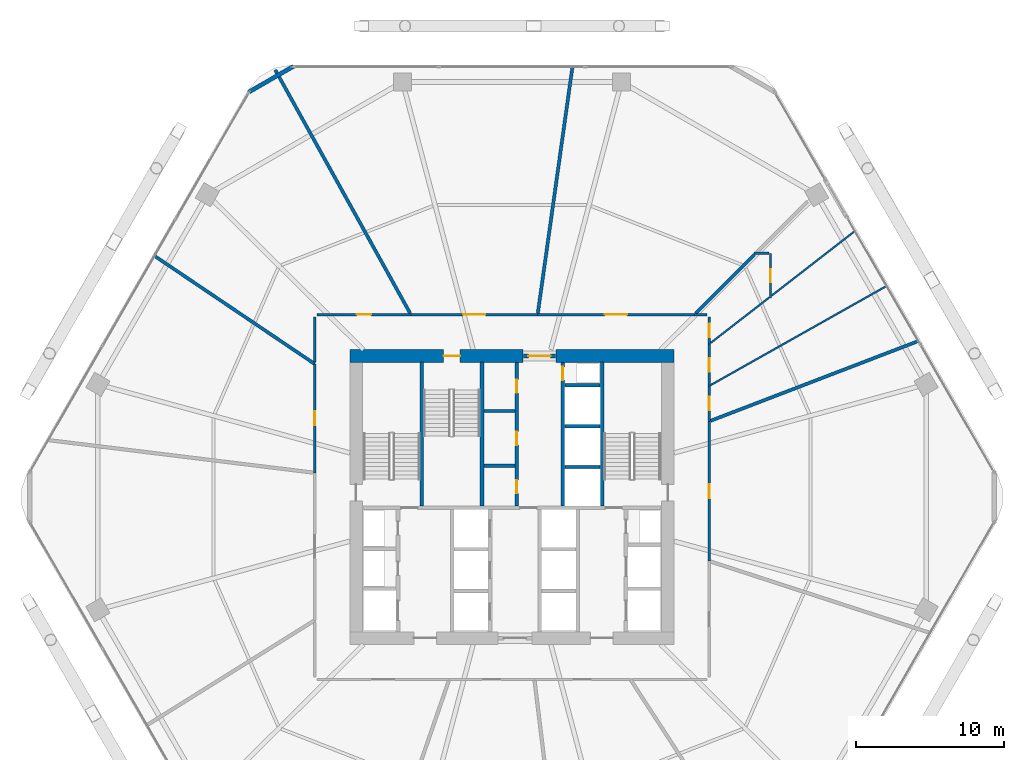
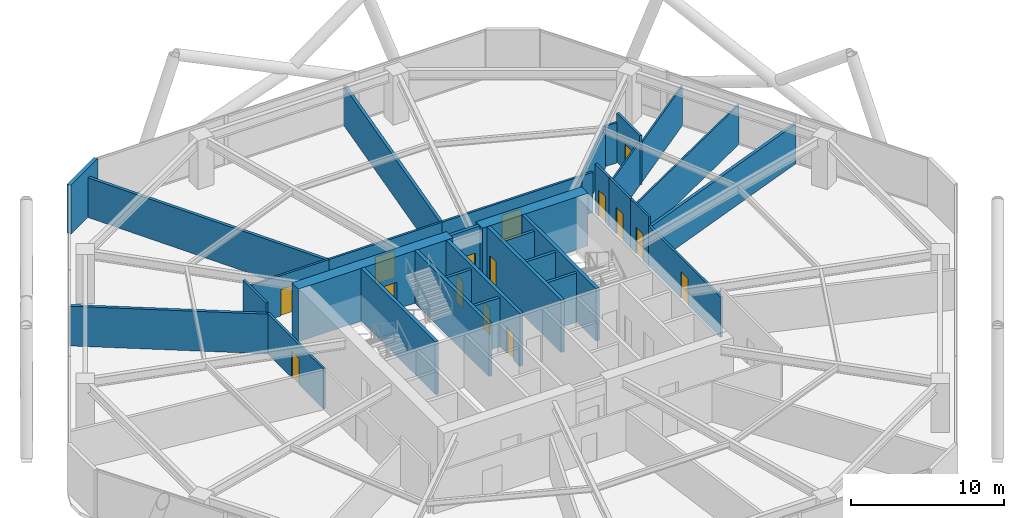
# One storey, part 26 of 28: 34 walls, 15 doors, 15 openings.
"""IFC4 building model written with IfcOpenShell, lengths in metres."""

from ifc_helpers import new_model, si_unit, direction, frame, frame_2d, origin, place, context, subcontext, project, spatial, rectangle, extrude, material, layer, layer_set, type_object, element, fill, save


model = new_model("IFC4")

# Units and contexts
model_context = context("Model", 3, precision=1e-05, world=origin(), true_north=direction((0.0, 1.0)))
body_context = subcontext(model_context, "Body", "Model", "MODEL_VIEW")
ifc_project = project(units=[si_unit("LENGTHUNIT", "METRE"), si_unit("AREAUNIT", "SQUARE_METRE"), si_unit("VOLUMEUNIT", "CUBIC_METRE"), si_unit("PLANEANGLEUNIT", "RADIAN"), si_unit("MASSUNIT", "GRAM", prefix="KILO")], contexts=[model_context])

# Site, building, storey
site_placement = place(None, origin())
site = spatial("IfcSite", under=ifc_project, at=site_placement, CompositionType="ELEMENT")
building_placement = place(site_placement, origin())
building = spatial("IfcBuilding", under=site, at=building_placement, Name="Zuhravey Tower", CompositionType="ELEMENT")
storey_placement = place(building_placement, frame((0.0, 0.0, 24.60009765625)))
storey = spatial("IfcBuildingStorey", under=building, at=storey_placement, Name="L06", CompositionType="ELEMENT", Elevation=24.60009765625)

# Wall
ifc_material_1 = material(Name="Concrete C60/75", Category="concrete")
ifc_layer_1 = layer(ifc_material_1, 0.85009765625)
ifc_layer_set_1 = layer_set([ifc_layer_1], Name="Concrete C60/75")
wall_type_1 = type_object("IfcWallType", Name="Core Shear Wall 850", PredefinedType="SHEAR", material=ifc_layer_set_1)
wall_1_placement = place(storey_placement, frame((46.925048828125, 41.5, 0.0), z_axis=(0.0, 0.0, 1.0), x_axis=(-1.0, 0.0, 0.0)))
element("IfcWall", 1, at=wall_1_placement, inside=storey, type_object=wall_type_1, Name="L06 North-East Core Shear Wall CW85", PredefinedType="SHEAR", context=body_context, shape_type="SweptSolid", body=[
    extrude(rectangle(XDim=7.97509765625, YDim=0.85009765625, at=frame_2d((3.987548828125, 0.0))), origin(), (0.0, 0.0, 1.0), 4.199951171875),
])

# Wall, opening, door
wall_2_placement = place(storey_placement, frame((36.75, 41.5, 0.0), z_axis=(0.0, 0.0, 1.0), x_axis=(-1.0, 0.0, 0.0)))
wall_2 = element("IfcWall", 2, at=wall_2_placement, inside=storey, type_object=wall_type_1, Name="L06 North-West Core Shear Wall CW85", PredefinedType="SHEAR", context=body_context, shape_type="SweptSolid", body=[
    extrude(rectangle(XDim=11.675048828125, YDim=0.85009765625, at=frame_2d((5.83740234375, 0.0))), origin(), (0.0, 0.0, 1.0), 4.199951171875),
])
opening_1_placement = place(wall_2_placement, frame((4.25, 0.0, 0.0)))
opening_1 = element("IfcOpeningElement", 3, at=opening_1_placement, cuts=wall_2, Name="Opening STD1", PredefinedType="OPENING", context=body_context, shape_type="SweptSolid", body=[
    extrude(rectangle(XDim=1.10009765625, YDim=2.14990234375, at=frame_2d((0.550048828125, 1.074951171875))), frame((0.0, 0.43701171875, 0.0), z_axis=(0.0, -1.0, 0.0), x_axis=(1.0, 0.0, 0.0)), (0.0, 0.0, 1.0), 0.8740234375),
])
ifc_material_2 = material(Name="Galvanised fire-rated steel leaf", Category="steel")
door_type_1 = type_object("IfcDoorType", Name="Protected Stair Fire Door 1100x2150", OperationType="NOTDEFINED", PredefinedType="USERDEFINED", material=ifc_material_2)
door_1_placement = place(opening_1_placement, origin())
door_1 = element("IfcDoor", 4, at=door_1_placement, inside=storey, type_object=door_type_1, Name="L06 Stair ST3 Door", ObjectType="EXITDOOR", OperationType="SINGLE_SWING_LEFT", OverallHeight=2.14990234375, OverallWidth=1.10009765625, PredefinedType="USERDEFINED", context=body_context, shape_type="SweptSolid", body=[
    extrude(rectangle(XDim=1.10009765625, YDim=2.14990234375, at=frame_2d((0.550048828125, 1.074951171875))), frame((0.0, 0.02490234375, 0.0), z_axis=(0.0, -1.0, 0.0), x_axis=(1.0, 0.0, 0.0)), (0.0, 0.0, 1.0), 0.050048828125),
])
fill(opening_1, door_1)

ifc_material_3 = material(Name="Gypsum fire-rated stud partition")
ifc_layer_2 = layer(ifc_material_3, 0.159912109375)
ifc_layer_set_2 = layer_set([ifc_layer_2], Name="Gypsum fire-rated stud partition")
wall_type_2 = type_object("IfcWallType", Name="Corridor Fire Partition 160", PredefinedType="PARTITIONING", material=ifc_layer_set_2)
wall_3_placement = place(storey_placement, frame((49.284912109375, 37.099609375, 0.0), z_axis=(0.0, 0.0, 1.0), x_axis=(0.0, 1.0, 0.0)))
wall_3 = element("IfcWall", 5, at=wall_3_placement, inside=storey, type_object=wall_type_2, Name="L06 IW16 Partition 019", PredefinedType="PARTITIONING", context=body_context, shape_type="SweptSolid", body=[
    extrude(rectangle(XDim=2.385986328125, YDim=0.159912109375, at=frame_2d((1.19287109375, 0.0))), origin(), (0.0, 0.0, 1.0), 3.919921875),
])
opening_2_placement = place(wall_3_placement, frame((0.742919921875, 0.0, 0.0)))
opening_2 = element("IfcOpeningElement", 6, at=opening_2_placement, cuts=wall_3, Name="Opening RSD1", PredefinedType="OPENING", context=body_context, shape_type="SweptSolid", body=[
    extrude(rectangle(XDim=0.89990234375, YDim=2.10009765625, at=frame_2d((0.449951171875, 1.050048828125))), frame((0.0, 0.092041015625, 0.0), z_axis=(0.0, -1.0, 0.0), x_axis=(1.0, 0.0, 0.0)), (0.0, 0.0, 1.0), 0.183837890625),
])
ifc_material_4 = material(Name="Galvanised fire-rated steel access leaf", Category="steel")
door_type_2 = type_object("IfcDoorType", Name="Riser & Shaft Access Fire Door 900x2100", OperationType="NOTDEFINED", PredefinedType="DOOR", material=ifc_material_4)
door_2_placement = place(opening_2_placement, frame((0.89990234375, 0.0, 0.0), z_axis=(0.0, 0.0, 1.0), x_axis=(-1.0, 0.0, 0.0)))
door_2 = element("IfcDoor", 7, at=door_2_placement, inside=storey, type_object=door_type_2, Name="L06 Door 019.1", OperationType="SINGLE_SWING_RIGHT", OverallHeight=2.10009765625, OverallWidth=0.89990234375, PredefinedType="DOOR", context=body_context, shape_type="SweptSolid", body=[
    extrude(rectangle(XDim=0.89990234375, YDim=2.10009765625, at=frame_2d((0.449951171875, 1.050048828125))), frame((0.0, 0.02490234375, 0.0), z_axis=(0.0, -1.0, 0.0), x_axis=(1.0, 0.0, 0.0)), (0.0, 0.0, 1.0), 0.050048828125),
])
fill(opening_2, door_2)

wall_4_placement = place(storey_placement, frame((49.284912109375, 39.485595703125, 0.0), z_axis=(0.0, 0.0, 1.0), x_axis=(0.0, 1.0, 0.0)))
wall_4 = element("IfcWall", 8, at=wall_4_placement, inside=storey, type_object=wall_type_2, Name="L06 IW16 Partition 020", PredefinedType="PARTITIONING", context=body_context, shape_type="SweptSolid", body=[
    extrude(rectangle(XDim=2.8193359375, YDim=0.159912109375, at=frame_2d((1.40966796875, 0.0))), origin(), (0.0, 0.0, 1.0), 3.919921875),
])
opening_3_placement = place(wall_4_placement, frame((0.959716796875, 0.0, 0.0)))
opening_3 = element("IfcOpeningElement", 9, at=opening_3_placement, cuts=wall_4, Name="Opening RSD1", PredefinedType="OPENING", context=body_context, shape_type="SweptSolid", body=[
    extrude(rectangle(XDim=0.89990234375, YDim=2.10009765625, at=frame_2d((0.449951171875, 1.050048828125))), frame((0.0, 0.092041015625, 0.0), z_axis=(0.0, -1.0, 0.0), x_axis=(1.0, 0.0, 0.0)), (0.0, 0.0, 1.0), 0.183837890625),
])
door_3_placement = place(opening_3_placement, frame((0.89990234375, 0.0, 0.0), z_axis=(0.0, 0.0, 1.0), x_axis=(-1.0, 0.0, 0.0)))
door_3 = element("IfcDoor", 10, at=door_3_placement, inside=storey, type_object=door_type_2, Name="L06 Door 020.1", OperationType="SINGLE_SWING_LEFT", OverallHeight=2.10009765625, OverallWidth=0.89990234375, PredefinedType="DOOR", context=body_context, shape_type="SweptSolid", body=[
    extrude(rectangle(XDim=0.89990234375, YDim=2.10009765625, at=frame_2d((0.449951171875, 1.050048828125))), frame((0.0, 0.02490234375, 0.0), z_axis=(0.0, -1.0, 0.0), x_axis=(1.0, 0.0, 0.0)), (0.0, 0.0, 1.0), 0.050048828125),
])
fill(opening_3, door_3)

wall_5_placement = place(storey_placement, frame((53.405029296875, 48.405029296875, 0.0), z_axis=(0.0, 0.0, 1.0), x_axis=(0.0, -1.0, 0.0)))
wall_5 = element("IfcWall", 11, at=wall_5_placement, inside=storey, type_object=wall_type_2, Name="L06 IW16 Partition 021", PredefinedType="PARTITIONING", context=body_context, shape_type="SweptSolid", body=[
    extrude(rectangle(XDim=3.005615234375, YDim=0.159912109375, at=frame_2d((1.5029296875, 0.0))), origin(), (0.0, 0.0, 1.0), 3.919921875),
])
opening_4_placement = place(wall_5_placement, frame((1.052734375, 0.0, 0.0)))
opening_4 = element("IfcOpeningElement", 12, at=opening_4_placement, cuts=wall_5, Name="Opening RSD1", PredefinedType="OPENING", context=body_context, shape_type="SweptSolid", body=[
    extrude(rectangle(XDim=0.89990234375, YDim=2.10009765625, at=frame_2d((0.449951171875, 1.050048828125))), frame((0.0, 0.092041015625, 0.0), z_axis=(0.0, -1.0, 0.0), x_axis=(1.0, 0.0, 0.0)), (0.0, 0.0, 1.0), 0.183837890625),
])
door_4_placement = place(opening_4_placement, origin())
door_4 = element("IfcDoor", 13, at=door_4_placement, inside=storey, type_object=door_type_2, Name="L06 Door 021.1", OperationType="SINGLE_SWING_RIGHT", OverallHeight=2.10009765625, OverallWidth=0.89990234375, PredefinedType="DOOR", context=body_context, shape_type="SweptSolid", body=[
    extrude(rectangle(XDim=0.89990234375, YDim=2.10009765625, at=frame_2d((0.449951171875, 1.050048828125))), frame((0.0, 0.02490234375, 0.0), z_axis=(0.0, -1.0, 0.0), x_axis=(1.0, 0.0, 0.0)), (0.0, 0.0, 1.0), 0.050048828125),
])
fill(opening_4, door_4)

wall_6_placement = place(storey_placement, frame((49.284912109375, 42.304931640625, 0.0), z_axis=(0.0, 0.0, 1.0), x_axis=(0.0, 1.0, 0.0)))
wall_6 = element("IfcWall", 14, at=wall_6_placement, inside=storey, type_object=wall_type_2, Name="L06 IW16 Partition 022", PredefinedType="PARTITIONING", context=body_context, shape_type="SweptSolid", body=[
    extrude(rectangle(XDim=1.820068359375, YDim=0.159912109375, at=frame_2d((0.91015625, 0.0))), origin(), (0.0, 0.0, 1.0), 3.919921875),
])
opening_5_placement = place(wall_6_placement, frame((0.4599609375, 0.0, 0.0)))
opening_5 = element("IfcOpeningElement", 15, at=opening_5_placement, cuts=wall_6, Name="Opening RSD1", PredefinedType="OPENING", context=body_context, shape_type="SweptSolid", body=[
    extrude(rectangle(XDim=0.89990234375, YDim=2.10009765625, at=frame_2d((0.449951171875, 1.050048828125))), frame((0.0, 0.092041015625, 0.0), z_axis=(0.0, -1.0, 0.0), x_axis=(1.0, 0.0, 0.0)), (0.0, 0.0, 1.0), 0.183837890625),
])
door_5_placement = place(opening_5_placement, frame((0.89990234375, 0.0, 0.0), z_axis=(0.0, 0.0, 1.0), x_axis=(-1.0, 0.0, 0.0)))
door_5 = element("IfcDoor", 16, at=door_5_placement, inside=storey, type_object=door_type_2, Name="L06 Door 022.1", OperationType="SINGLE_SWING_LEFT", OverallHeight=2.10009765625, OverallWidth=0.89990234375, PredefinedType="DOOR", context=body_context, shape_type="SweptSolid", body=[
    extrude(rectangle(XDim=0.89990234375, YDim=2.10009765625, at=frame_2d((0.449951171875, 1.050048828125))), frame((0.0, 0.02490234375, 0.0), z_axis=(0.0, -1.0, 0.0), x_axis=(1.0, 0.0, 0.0)), (0.0, 0.0, 1.0), 0.050048828125),
])
fill(opening_5, door_5)

wall_7_placement = place(storey_placement, frame((48.284912109375, 44.284912109375, 0.0), z_axis=(0.0, 0.0, 1.0), x_axis=(-1.0, 0.0, 0.0)))
wall_7 = element("IfcWall", 17, at=wall_7_placement, inside=storey, type_object=wall_type_2, Name="L06 IW16 Partition 023", PredefinedType="PARTITIONING", context=body_context, shape_type="SweptSolid", body=[
    extrude(rectangle(XDim=10.558349609375, YDim=0.159912109375, at=frame_2d((5.279296875, 0.0))), origin(), (0.0, 0.0, 1.0), 3.219970703125),
])
opening_6_placement = place(wall_7_placement, frame((4.529296875, 0.0, 0.0)))
opening_6 = element("IfcOpeningElement", 18, at=opening_6_placement, cuts=wall_7, Name="Opening FFD1", PredefinedType="OPENING", context=body_context, shape_type="SweptSolid", body=[
    extrude(rectangle(XDim=1.5, YDim=2.14990234375, at=frame_2d((0.75, 1.074951171875))), frame((0.0, 0.092041015625, 0.0), z_axis=(0.0, -1.0, 0.0), x_axis=(1.0, 0.0, 0.0)), (0.0, 0.0, 1.0), 0.183837890625),
])
door_type_3 = type_object("IfcDoorType", Name="Firefighting Lobby Double Door 1500x2150", OperationType="DOUBLE_DOOR_SINGLE_SWING", PredefinedType="DOOR", material=ifc_material_2)
door_6_placement = place(opening_6_placement, frame((1.5, 0.0, 0.0), z_axis=(0.0, 0.0, 1.0), x_axis=(-1.0, 0.0, 0.0)))
door_6 = element("IfcDoor", 19, at=door_6_placement, inside=storey, type_object=door_type_3, Name="L06 Door 023.1", OperationType="DOUBLE_DOOR_SINGLE_SWING", OverallHeight=2.14990234375, OverallWidth=1.5, PredefinedType="DOOR", context=body_context, shape_type="SweptSolid", body=[
    extrude(rectangle(XDim=1.5, YDim=2.14990234375, at=frame_2d((0.75, 1.074951171875))), frame((0.0, 0.02490234375, 0.0), z_axis=(0.0, -1.0, 0.0), x_axis=(1.0, 0.0, 0.0)), (0.0, 0.0, 1.0), 0.050048828125),
])
fill(opening_6, door_6)

wall_8_placement = place(storey_placement, frame((37.7265625, 44.284912109375, 0.0), z_axis=(0.0, 0.0, 1.0), x_axis=(-1.0, 0.0, 0.0)))
wall_8 = element("IfcWall", 20, at=wall_8_placement, inside=storey, type_object=wall_type_2, Name="L06 IW16 Partition 024", PredefinedType="PARTITIONING", context=body_context, shape_type="SweptSolid", body=[
    extrude(rectangle(XDim=8.536376953125, YDim=0.159912109375, at=frame_2d((4.26806640625, 0.0))), origin(), (0.0, 0.0, 1.0), 3.219970703125),
])
opening_7_placement = place(wall_8_placement, frame((3.51806640625, 0.0, 0.0)))
opening_7 = element("IfcOpeningElement", 21, at=opening_7_placement, cuts=wall_8, Name="Opening FFD1", PredefinedType="OPENING", context=body_context, shape_type="SweptSolid", body=[
    extrude(rectangle(XDim=1.5, YDim=2.14990234375, at=frame_2d((0.75, 1.074951171875))), frame((0.0, 0.092041015625, 0.0), z_axis=(0.0, -1.0, 0.0), x_axis=(1.0, 0.0, 0.0)), (0.0, 0.0, 1.0), 0.183837890625),
])
door_7_placement = place(opening_7_placement, frame((1.5, 0.0, 0.0), z_axis=(0.0, 0.0, 1.0), x_axis=(-1.0, 0.0, 0.0)))
door_7 = element("IfcDoor", 22, at=door_7_placement, inside=storey, type_object=door_type_3, Name="L06 Door 024.1", OperationType="DOUBLE_DOOR_SINGLE_SWING", OverallHeight=2.14990234375, OverallWidth=1.5, PredefinedType="DOOR", context=body_context, shape_type="SweptSolid", body=[
    extrude(rectangle(XDim=1.5, YDim=2.14990234375, at=frame_2d((0.75, 1.074951171875))), frame((0.0, 0.02490234375, 0.0), z_axis=(0.0, -1.0, 0.0), x_axis=(1.0, 0.0, 0.0)), (0.0, 0.0, 1.0), 0.050048828125),
])
fill(opening_7, door_7)

wall_9_placement = place(storey_placement, frame((29.190185546875, 44.284912109375, 0.0), z_axis=(0.0, 0.0, 1.0), x_axis=(-1.0, 0.0, 0.0)))
wall_9 = element("IfcWall", 23, at=wall_9_placement, inside=storey, type_object=wall_type_2, Name="L06 IW16 Partition 025", PredefinedType="PARTITIONING", context=body_context, shape_type="SweptSolid", body=[
    extrude(rectangle(XDim=6.315185546875, YDim=0.159912109375, at=frame_2d((3.15771484375, 0.0))), origin(), (0.0, 0.0, 1.0), 3.219970703125),
])
opening_8_placement = place(wall_9_placement, frame((2.6826171875, 0.0, 0.0)))
opening_8 = element("IfcOpeningElement", 24, at=opening_8_placement, cuts=wall_9, Name="Opening IND1", PredefinedType="OPENING", context=body_context, shape_type="SweptSolid", body=[
    extrude(rectangle(XDim=0.949951171875, YDim=2.10009765625, at=frame_2d((0.47509765625, 1.050048828125))), frame((0.0, 0.092041015625, 0.0), z_axis=(0.0, -1.0, 0.0), x_axis=(1.0, 0.0, 0.0)), (0.0, 0.0, 1.0), 0.183837890625),
])
ifc_material_5 = material(Name="Painted engineered timber leaf", Category="wood")
door_type_4 = type_object("IfcDoorType", Name="Internal Room & Bedroom Door 950x2100", OperationType="NOTDEFINED", PredefinedType="DOOR", material=ifc_material_5)
door_8_placement = place(opening_8_placement, frame((0.949951171875, 0.0, 0.0), z_axis=(0.0, 0.0, 1.0), x_axis=(-1.0, 0.0, 0.0)))
door_8 = element("IfcDoor", 25, at=door_8_placement, inside=storey, type_object=door_type_4, Name="L06 Door 025.1", OperationType="SINGLE_SWING_RIGHT", OverallHeight=2.10009765625, OverallWidth=0.949951171875, PredefinedType="DOOR", context=body_context, shape_type="SweptSolid", body=[
    extrude(rectangle(XDim=0.949951171875, YDim=2.10009765625, at=frame_2d((0.47509765625, 1.050048828125))), frame((0.0, 0.02490234375, 0.0), z_axis=(0.0, -1.0, 0.0), x_axis=(1.0, 0.0, 0.0)), (0.0, 0.0, 1.0), 0.050048828125),
])
fill(opening_8, door_8)

wall_10_placement = place(storey_placement, frame((22.715087890625, 40.960693359375, 0.0), z_axis=(0.0, 0.0, 1.0), x_axis=(0.0, -1.0, 0.0)))
wall_10 = element("IfcWall", 26, at=wall_10_placement, inside=storey, type_object=wall_type_2, Name="L06 IW16 Partition 026", PredefinedType="PARTITIONING", context=body_context, shape_type="SweptSolid", body=[
    extrude(rectangle(XDim=7.32958984375, YDim=0.159912109375, at=frame_2d((3.664794921875, 0.0))), origin(), (0.0, 0.0, 1.0), 3.219970703125),
])
opening_9_placement = place(wall_10_placement, frame((3.189697265625, 0.0, 0.0)))
opening_9 = element("IfcOpeningElement", 27, at=opening_9_placement, cuts=wall_10, Name="Opening IND1", PredefinedType="OPENING", context=body_context, shape_type="SweptSolid", body=[
    extrude(rectangle(XDim=0.949951171875, YDim=2.10009765625, at=frame_2d((0.47509765625, 1.050048828125))), frame((0.0, 0.092041015625, 0.0), z_axis=(0.0, -1.0, 0.0), x_axis=(1.0, 0.0, 0.0)), (0.0, 0.0, 1.0), 0.183837890625),
])
door_9_placement = place(opening_9_placement, frame((0.949951171875, 0.0, 0.0), z_axis=(0.0, 0.0, 1.0), x_axis=(-1.0, 0.0, 0.0)))
door_9 = element("IfcDoor", 28, at=door_9_placement, inside=storey, type_object=door_type_4, Name="L06 Door 026.1", OperationType="SINGLE_SWING_LEFT", OverallHeight=2.10009765625, OverallWidth=0.949951171875, PredefinedType="DOOR", context=body_context, shape_type="SweptSolid", body=[
    extrude(rectangle(XDim=0.949951171875, YDim=2.10009765625, at=frame_2d((0.47509765625, 1.050048828125))), frame((0.0, 0.02490234375, 0.0), z_axis=(0.0, -1.0, 0.0), x_axis=(1.0, 0.0, 0.0)), (0.0, 0.0, 1.0), 0.050048828125),
])
fill(opening_9, door_9)

wall_11_placement = place(storey_placement, frame((49.284912109375, 27.683349609375, 0.0), z_axis=(0.0, 0.0, 1.0), x_axis=(0.0, 1.0, 0.0)))
wall_11 = element("IfcWall", 29, at=wall_11_placement, inside=storey, type_object=wall_type_2, Name="L06 IW16 Partition 032", PredefinedType="PARTITIONING", context=body_context, shape_type="SweptSolid", body=[
    extrude(rectangle(XDim=9.416259765625, YDim=0.159912109375, at=frame_2d((4.7080078125, 0.0))), origin(), (0.0, 0.0, 1.0), 3.219970703125),
])
opening_10_placement = place(wall_11_placement, frame((4.233154296875, 0.0, 0.0)))
opening_10 = element("IfcOpeningElement", 30, at=opening_10_placement, cuts=wall_11, Name="Opening IND1", PredefinedType="OPENING", context=body_context, shape_type="SweptSolid", body=[
    extrude(rectangle(XDim=0.949951171875, YDim=2.10009765625, at=frame_2d((0.47509765625, 1.050048828125))), frame((0.0, 0.092041015625, 0.0), z_axis=(0.0, -1.0, 0.0), x_axis=(1.0, 0.0, 0.0)), (0.0, 0.0, 1.0), 0.183837890625),
])
door_10_placement = place(opening_10_placement, frame((0.949951171875, 0.0, 0.0), z_axis=(0.0, 0.0, 1.0), x_axis=(-1.0, 0.0, 0.0)))
door_10 = element("IfcDoor", 31, at=door_10_placement, inside=storey, type_object=door_type_4, Name="L06 Door 032.1", OperationType="SINGLE_SWING_LEFT", OverallHeight=2.10009765625, OverallWidth=0.949951171875, PredefinedType="DOOR", context=body_context, shape_type="SweptSolid", body=[
    extrude(rectangle(XDim=0.949951171875, YDim=2.10009765625, at=frame_2d((0.47509765625, 1.050048828125))), frame((0.0, 0.02490234375, 0.0), z_axis=(0.0, -1.0, 0.0), x_axis=(1.0, 0.0, 0.0)), (0.0, 0.0, 1.0), 0.050048828125),
])
fill(opening_10, door_10)

# Walls
wall_12_placement = place(storey_placement, frame((52.2919921875, 48.405029296875, 0.0), z_axis=(0.0, 0.0, 1.0), x_axis=(1.0, 0.0, 0.0)))
element("IfcWall", 32, at=wall_12_placement, inside=storey, type_object=wall_type_2, Name="L06 IW16 Partition 046", PredefinedType="PARTITIONING", context=body_context, shape_type="SweptSolid", body=[
    extrude(rectangle(XDim=1.02490234375, YDim=0.159912109375, at=frame_2d((0.512451171875, 0.0))), origin(), (0.0, 0.0, 1.0), 3.219970703125),
])
wall_13_placement = place(storey_placement, frame((49.125, 44.284912109375, 0.0), z_axis=(0.0, 0.0, 1.0), x_axis=(-1.0, 0.0, 0.0)))
element("IfcWall", 33, at=wall_13_placement, inside=storey, type_object=wall_type_2, Name="L06 IW16 Partition 047", PredefinedType="PARTITIONING", context=body_context, shape_type="SweptSolid", body=[
    extrude(rectangle(XDim=0.840087890625, YDim=0.159912109375, at=frame_2d((0.419921875, 0.0))), origin(), (0.0, 0.0, 1.0), 3.219970703125),
])
wall_14_placement = place(storey_placement, frame((22.715087890625, 44.125, 0.0), z_axis=(0.0, 0.0, 1.0), x_axis=(0.0, -1.0, 0.0)))
element("IfcWall", 34, at=wall_14_placement, inside=storey, type_object=wall_type_2, Name="L06 IW16 Partition 053", PredefinedType="PARTITIONING", context=body_context, shape_type="SweptSolid", body=[
    extrude(rectangle(XDim=3.021728515625, YDim=0.159912109375, at=frame_2d((1.5107421875, 0.0))), origin(), (0.0, 0.0, 1.0), 3.919921875),
])
ifc_material_6 = material(Name="Precast concrete C40/50", Category="concrete")
ifc_layer_3 = layer(ifc_material_6, 0.280029296875)
ifc_layer_set_3 = layer_set([ifc_layer_3], Name="Precast concrete C40/50")
wall_type_3 = type_object("IfcWallType", Name="Crown Architectural Wall 280", PredefinedType="SOLIDWALL", material=ifc_layer_set_3)
wall_15_placement = place(storey_placement, frame((18.23876953125, 59.24853515625, 0.0), z_axis=(0.0, 0.0, 1.0), x_axis=(0.866007452331, 0.500031091541, 0.0)))
element("IfcWall", 35, at=wall_15_placement, inside=storey, type_object=wall_type_3, Name="L06 Rounded Corner Closure Wall EW28-08", PredefinedType="SOLIDWALL", context=body_context, shape_type="SweptSolid", body=[
    extrude(rectangle(XDim=3.514892578125, YDim=0.280029296875, at=frame_2d((1.75732421875, 0.0))), origin(), (0.0, 0.0, 1.0), 3.919921875),
])

# Wall, opening, door
ifc_material_7 = material(Name="Concrete C50/60", Category="concrete")
ifc_layer_4 = layer(ifc_material_7, 0.25)
ifc_layer_set_4 = layer_set([ifc_layer_4], Name="Concrete C50/60")
wall_type_4 = type_object("IfcWallType", Name="Firefighting Shaft & Stair Wall 250", PredefinedType="SOLIDWALL", material=ifc_layer_set_4)
wall_16_placement = place(storey_placement, frame((36.760009765625, 41.5, 0.0), z_axis=(0.0, 0.0, 1.0), x_axis=(1.0, 0.0, 0.0)))
wall_16 = element("IfcWall", 36, at=wall_16_placement, inside=storey, type_object=wall_type_4, Name="L06 FW25 Shaft Wall 002", PredefinedType="SOLIDWALL", context=body_context, shape_type="SweptSolid", body=[
    extrude(rectangle(XDim=2.179931640625, YDim=0.25, at=frame_2d((1.08984375, 0.0))), origin(), (0.0, 0.0, 1.0), 4.199951171875),
])
opening_11_placement = place(wall_16_placement, frame((0.340087890625, 0.0, 0.0)))
opening_11 = element("IfcOpeningElement", 37, at=opening_11_placement, cuts=wall_16, Name="Opening FFD1", PredefinedType="OPENING", context=body_context, shape_type="SweptSolid", body=[
    extrude(rectangle(XDim=1.5, YDim=2.14990234375, at=frame_2d((0.75, 1.074951171875))), frame((0.0, 0.136962890625, 0.0), z_axis=(0.0, -1.0, 0.0), x_axis=(1.0, 0.0, 0.0)), (0.0, 0.0, 1.0), 0.27392578125),
])
door_11_placement = place(opening_11_placement, origin())
door_11 = element("IfcDoor", 38, at=door_11_placement, inside=storey, type_object=door_type_3, Name="L06 North Lift Lobby Exit Door", OperationType="DOUBLE_DOOR_SINGLE_SWING", OverallHeight=2.14990234375, OverallWidth=1.5, PredefinedType="DOOR", context=body_context, shape_type="SweptSolid", body=[
    extrude(rectangle(XDim=1.5, YDim=2.14990234375, at=frame_2d((0.75, 1.074951171875))), frame((0.0, 0.02490234375, 0.0), z_axis=(0.0, -1.0, 0.0), x_axis=(1.0, 0.0, 0.0)), (0.0, 0.0, 1.0), 0.050048828125),
])
fill(opening_11, door_11)

# Walls
for number, where, z_axis, x_axis, name in (
    (39, (29.925048828125, 31.39990234375, 0.0), (0.0, 0.0, 1.0), (0.0, 1.0, 0.0), "L06 FW25 Shaft Wall 004"),
    (40, (33.97509765625, 31.39990234375, 0.0), (0.0, 0.0, 1.0), (0.0, 1.0, 0.0), "L06 FW25 Shaft Wall 005"),
    (41, (42.074951171875, 31.39990234375, 0.0), (0.0, 0.0, 1.0), (0.0, 1.0, 0.0), "L06 FW25 Shaft Wall 006"),
):
    element("IfcWall", number, at=place(storey_placement, frame(where, z_axis=z_axis, x_axis=x_axis)), inside=storey, type_object=wall_type_4, Name=name, PredefinedType="SOLIDWALL", context=body_context, shape_type="SweptSolid", body=[
        extrude(rectangle(XDim=9.7001953125, YDim=0.25, at=frame_2d((4.85009765625, 0.0))), origin(), (0.0, 0.0, 1.0), 4.199951171875),
    ])

# Wall, openings, doors
wall_17_placement = place(storey_placement, frame((36.324951171875, 31.39990234375, 0.0), z_axis=(0.0, 0.0, 1.0), x_axis=(0.0, 1.0, 0.0)))
wall_17 = element("IfcWall", 42, at=wall_17_placement, inside=storey, type_object=wall_type_4, Name="L06 FW25 Shaft Wall 007", PredefinedType="SOLIDWALL", context=body_context, shape_type="SweptSolid", body=[
    extrude(rectangle(XDim=9.650146484375, YDim=0.25, at=frame_2d((4.8251953125, 0.0))), origin(), (0.0, 0.0, 1.0), 4.199951171875),
])
opening_12_placement = place(wall_17_placement, frame((0.840087890625, 0.0, 0.0)))
opening_12 = element("IfcOpeningElement", 43, at=opening_12_placement, cuts=wall_17, Name="Opening RSD1", PredefinedType="OPENING", context=body_context, shape_type="SweptSolid", body=[
    extrude(rectangle(XDim=0.89990234375, YDim=2.10009765625, at=frame_2d((0.449951171875, 1.050048828125))), frame((0.0, 0.136962890625, 0.0), z_axis=(0.0, -1.0, 0.0), x_axis=(1.0, 0.0, 0.0)), (0.0, 0.0, 1.0), 0.27392578125),
])
opening_13_placement = place(wall_17_placement, frame((4.10009765625, 0.0, 0.0)))
opening_13 = element("IfcOpeningElement", 44, at=opening_13_placement, cuts=wall_17, Name="Opening RSD1", PredefinedType="OPENING", context=body_context, shape_type="SweptSolid", body=[
    extrude(rectangle(XDim=0.89990234375, YDim=2.10009765625, at=frame_2d((0.449951171875, 1.050048828125))), frame((0.0, 0.136962890625, 0.0), z_axis=(0.0, -1.0, 0.0), x_axis=(1.0, 0.0, 0.0)), (0.0, 0.0, 1.0), 0.27392578125),
])
opening_14_placement = place(wall_17_placement, frame((7.610107421875, 0.0, 0.0)))
opening_14 = element("IfcOpeningElement", 45, at=opening_14_placement, cuts=wall_17, Name="Opening RSD1", PredefinedType="OPENING", context=body_context, shape_type="SweptSolid", body=[
    extrude(rectangle(XDim=0.89990234375, YDim=2.10009765625, at=frame_2d((0.449951171875, 1.050048828125))), frame((0.0, 0.136962890625, 0.0), z_axis=(0.0, -1.0, 0.0), x_axis=(1.0, 0.0, 0.0)), (0.0, 0.0, 1.0), 0.27392578125),
])
door_12_placement = place(opening_12_placement, origin())
door_12 = element("IfcDoor", 46, at=door_12_placement, inside=storey, type_object=door_type_2, Name="L06 Core Staff WC Door", OperationType="SINGLE_SWING_LEFT", OverallHeight=2.10009765625, OverallWidth=0.89990234375, PredefinedType="DOOR", context=body_context, shape_type="SweptSolid", body=[
    extrude(rectangle(XDim=0.89990234375, YDim=2.10009765625, at=frame_2d((0.449951171875, 1.050048828125))), frame((0.0, 0.02490234375, 0.0), z_axis=(0.0, -1.0, 0.0), x_axis=(1.0, 0.0, 0.0)), (0.0, 0.0, 1.0), 0.050048828125),
])
fill(opening_12, door_12)
door_13_placement = place(opening_13_placement, origin())
door_13 = element("IfcDoor", 47, at=door_13_placement, inside=storey, type_object=door_type_2, Name="L06 IT and Comms Room Door", OperationType="SINGLE_SWING_RIGHT", OverallHeight=2.10009765625, OverallWidth=0.89990234375, PredefinedType="DOOR", context=body_context, shape_type="SweptSolid", body=[
    extrude(rectangle(XDim=0.89990234375, YDim=2.10009765625, at=frame_2d((0.449951171875, 1.050048828125))), frame((0.0, 0.02490234375, 0.0), z_axis=(0.0, -1.0, 0.0), x_axis=(1.0, 0.0, 0.0)), (0.0, 0.0, 1.0), 0.050048828125),
])
fill(opening_13, door_13)
door_14_placement = place(opening_14_placement, origin())
door_14 = element("IfcDoor", 48, at=door_14_placement, inside=storey, type_object=door_type_2, Name="L06 Janitor Linen Store Door", OperationType="SINGLE_SWING_LEFT", OverallHeight=2.10009765625, OverallWidth=0.89990234375, PredefinedType="DOOR", context=body_context, shape_type="SweptSolid", body=[
    extrude(rectangle(XDim=0.89990234375, YDim=2.10009765625, at=frame_2d((0.449951171875, 1.050048828125))), frame((0.0, 0.02490234375, 0.0), z_axis=(0.0, -1.0, 0.0), x_axis=(1.0, 0.0, 0.0)), (0.0, 0.0, 1.0), 0.050048828125),
])
fill(opening_14, door_14)

# Wall, opening, door
wall_18_placement = place(storey_placement, frame((39.425048828125, 31.39990234375, 0.0), z_axis=(0.0, 0.0, 1.0), x_axis=(0.0, 1.0, 0.0)))
wall_18 = element("IfcWall", 49, at=wall_18_placement, inside=storey, type_object=wall_type_4, Name="L06 FW25 Shaft Wall 008", PredefinedType="SOLIDWALL", context=body_context, shape_type="SweptSolid", body=[
    extrude(rectangle(XDim=9.650146484375, YDim=0.25, at=frame_2d((4.8251953125, 0.0))), origin(), (0.0, 0.0, 1.0), 4.199951171875),
])
opening_15_placement = place(wall_18_placement, frame((8.469970703125, 0.0, 0.0)))
opening_15 = element("IfcOpeningElement", 50, at=opening_15_placement, cuts=wall_18, Name="Opening RSD1", PredefinedType="OPENING", context=body_context, shape_type="SweptSolid", body=[
    extrude(rectangle(XDim=0.89990234375, YDim=2.10009765625, at=frame_2d((0.449951171875, 1.050048828125))), frame((0.0, 0.136962890625, 0.0), z_axis=(0.0, -1.0, 0.0), x_axis=(1.0, 0.0, 0.0)), (0.0, 0.0, 1.0), 0.27392578125),
])
door_15_placement = place(opening_15_placement, origin())
door_15 = element("IfcDoor", 51, at=door_15_placement, inside=storey, type_object=door_type_2, Name="L06 North Riser Door", OperationType="SINGLE_SWING_RIGHT", OverallHeight=2.10009765625, OverallWidth=0.89990234375, PredefinedType="DOOR", context=body_context, shape_type="SweptSolid", body=[
    extrude(rectangle(XDim=0.89990234375, YDim=2.10009765625, at=frame_2d((0.449951171875, 1.050048828125))), frame((0.0, 0.02490234375, 0.0), z_axis=(0.0, -1.0, 0.0), x_axis=(1.0, 0.0, 0.0)), (0.0, 0.0, 1.0), 0.050048828125),
])
fill(opening_15, door_15)

# Walls
ifc_material_8 = material(Name="Gypsum acoustic stud assembly")
ifc_layer_5 = layer(ifc_material_8, 0.219970703125)
ifc_layer_set_5 = layer_set([ifc_layer_5], Name="Gypsum acoustic stud assembly")
wall_type_5 = type_object("IfcWallType", Name="School Acoustic Compartment Wall 220", PredefinedType="PARTITIONING", material=ifc_layer_set_5)
for number, where, z_axis, x_axis, name in (
    (52, (34.10791015625, 34.10009765625, 0.0), (0.0, 0.0, 1.0), (1.0, 0.0, 0.0), "L06 IW22 Partition 033"),
    (53, (34.10791015625, 37.800048828125, 0.0), (0.0, 0.0, 1.0), (1.0, 0.0, 0.0), "L06 IW22 Partition 034"),
):
    element("IfcWall", number, at=place(storey_placement, frame(where, z_axis=z_axis, x_axis=x_axis)), inside=storey, type_object=wall_type_5, Name=name, PredefinedType="PARTITIONING", context=body_context, shape_type="SweptSolid", body=[
        extrude(rectangle(XDim=2.083984375, YDim=0.219970703125, at=frame_2d((1.0419921875, 0.0))), origin(), (0.0, 0.0, 1.0), 3.919921875),
    ])
for number, where, z_axis, x_axis, name in (
    (54, (39.55810546875, 34.02490234375, 0.0), (0.0, 0.0, 1.0), (1.0, 0.0, 0.0), "L06 IW22 Partition 035"),
    (55, (39.55810546875, 36.77490234375, 0.0), (0.0, 0.0, 1.0), (1.0, 0.0, 0.0), "L06 IW22 Partition 036"),
    (56, (39.55810546875, 39.52490234375, 0.0), (0.0, 0.0, 1.0), (1.0, 0.0, 0.0), "L06 IW22 Partition 037"),
):
    element("IfcWall", number, at=place(storey_placement, frame(where, z_axis=z_axis, x_axis=x_axis)), inside=storey, type_object=wall_type_5, Name=name, PredefinedType="PARTITIONING", context=body_context, shape_type="SweptSolid", body=[
        extrude(rectangle(XDim=2.3837890625, YDim=0.219970703125, at=frame_2d((1.19189453125, 0.0))), origin(), (0.0, 0.0, 1.0), 3.919921875),
    ])
wall_19_placement = place(storey_placement, frame((49.373046875, 37.133544921875, 0.0), z_axis=(0.0, 0.0, 1.0), x_axis=(0.933584586871, 0.358357111214, 0.0)))
element("IfcWall", 57, at=wall_19_placement, inside=storey, type_object=wall_type_5, Name="L06 IW22 Partition 042", PredefinedType="PARTITIONING", context=body_context, shape_type="SweptSolid", body=[
    extrude(rectangle(XDim=14.994873046875, YDim=0.219970703125, at=frame_2d((7.49755859375, 0.0))), origin(), (0.0, 0.0, 1.0), 3.169921875),
])
wall_20_placement = place(storey_placement, frame((48.373046875, 44.373046875, 0.0), z_axis=(0.0, 0.0, 1.0), x_axis=(0.707106781187, 0.707106781187, 0.0)))
element("IfcWall", 58, at=wall_20_placement, inside=storey, type_object=wall_type_5, Name="L06 IW22 Partition 048", PredefinedType="PARTITIONING", context=body_context, shape_type="SweptSolid", body=[
    extrude(rectangle(XDim=5.577392578125, YDim=0.219970703125, at=frame_2d((2.78857421875, 0.0))), origin(), (0.0, 0.0, 1.0), 3.219970703125),
])
wall_21_placement = place(storey_placement, frame((37.739013671875, 44.373046875, 0.0), z_axis=(0.0, 0.0, 1.0), x_axis=(0.139165938444, 0.990269075341, 0.0)))
element("IfcWall", 59, at=wall_21_placement, inside=storey, type_object=wall_type_5, Name="L06 IW22 Partition 050", PredefinedType="PARTITIONING", context=body_context, shape_type="SweptSolid", body=[
    extrude(rectangle(XDim=16.74853515625, YDim=0.219970703125, at=frame_2d((8.374267578125, 0.0))), origin(), (0.0, 0.0, 1.0), 3.169921875),
])
wall_22_placement = place(storey_placement, frame((29.1416015625, 44.373046875, 0.0), z_axis=(0.0, 0.0, 1.0), x_axis=(-0.484814111505, 0.874617217579, 0.0)))
element("IfcWall", 60, at=wall_22_placement, inside=storey, type_object=wall_type_5, Name="L06 IW22 Partition 051", PredefinedType="PARTITIONING", context=body_context, shape_type="SweptSolid", body=[
    extrude(rectangle(XDim=18.737548828125, YDim=0.219970703125, at=frame_2d((9.36865234375, 0.0))), origin(), (0.0, 0.0, 1.0), 3.169921875),
])
wall_23_placement = place(storey_placement, frame((22.715087890625, 40.960693359375, 0.0), z_axis=(0.0, 0.0, 1.0), x_axis=(-0.829037316792, 0.559193282654, 0.0)))
element("IfcWall", 61, at=wall_23_placement, inside=storey, type_object=wall_type_5, Name="L06 IW22 Partition 052", PredefinedType="PARTITIONING", context=body_context, shape_type="SweptSolid", body=[
    extrude(rectangle(XDim=13.0048828125, YDim=0.219970703125, at=frame_2d((6.50244140625, 0.0))), origin(), (0.0, 0.0, 1.0), 3.169921875),
])
ifc_material_9 = material(Name="Gypsum metal-stud partition")
ifc_layer_6 = layer(ifc_material_9, 0.1201171875)
ifc_layer_set_6 = layer_set([ifc_layer_6], Name="Gypsum metal-stud partition")
wall_type_6 = type_object("IfcWallType", Name="Unit Internal Partition 120", PredefinedType="PARTITIONING", material=ifc_layer_set_6)
wall_24_placement = place(storey_placement, frame((49.373046875, 39.535400390625, 0.0), z_axis=(0.0, 0.0, 1.0), x_axis=(0.871218886354, 0.490894746417, 0.0)))
element("IfcWall", 62, at=wall_24_placement, inside=storey, type_object=wall_type_6, Name="L06 IW12 Partition 043", PredefinedType="PARTITIONING", context=body_context, shape_type="SweptSolid", body=[
    extrude(rectangle(XDim=13.610107421875, YDim=0.1201171875, at=frame_2d((6.80517578125, 0.0))), origin(), (0.0, 0.0, 1.0), 3.169921875),
])
wall_25_placement = place(storey_placement, frame((49.373046875, 42.373291015625, 0.0), z_axis=(0.0, 0.0, 1.0), x_axis=(0.790162754328, 0.612897072658, 0.0)))
element("IfcWall", 63, at=wall_25_placement, inside=storey, type_object=wall_type_6, Name="L06 IW12 Partition 044", PredefinedType="PARTITIONING", context=body_context, shape_type="SweptSolid", body=[
    extrude(rectangle(XDim=4.9912109375, YDim=0.1201171875, at=frame_2d((2.49560546875, 0.0))), origin(), (0.0, 0.0, 1.0), 3.469970703125),
])
wall_26_placement = place(storey_placement, frame((53.492919921875, 45.569091796875, 0.0), z_axis=(0.0, 0.0, 1.0), x_axis=(0.79017658067, 0.612879246965, 0.0)))
element("IfcWall", 64, at=wall_26_placement, inside=storey, type_object=wall_type_6, Name="L06 IW12 Partition 045", PredefinedType="PARTITIONING", context=body_context, shape_type="SweptSolid", body=[
    extrude(rectangle(XDim=7.09033203125, YDim=0.1201171875, at=frame_2d((3.545166015625, 0.0))), origin(), (0.0, 0.0, 1.0), 3.169921875),
])

save(model, "model.ifc")
